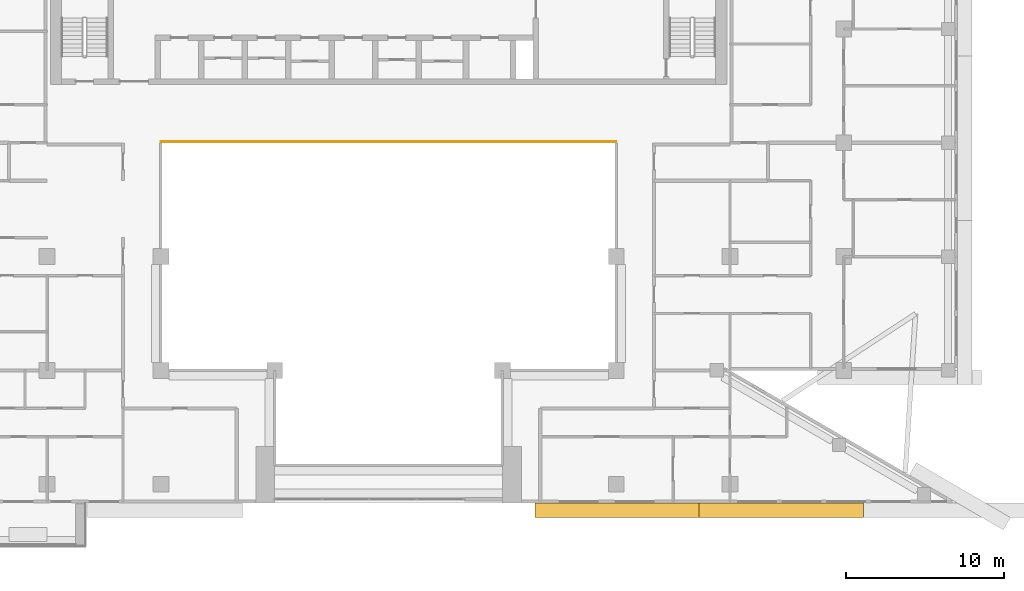
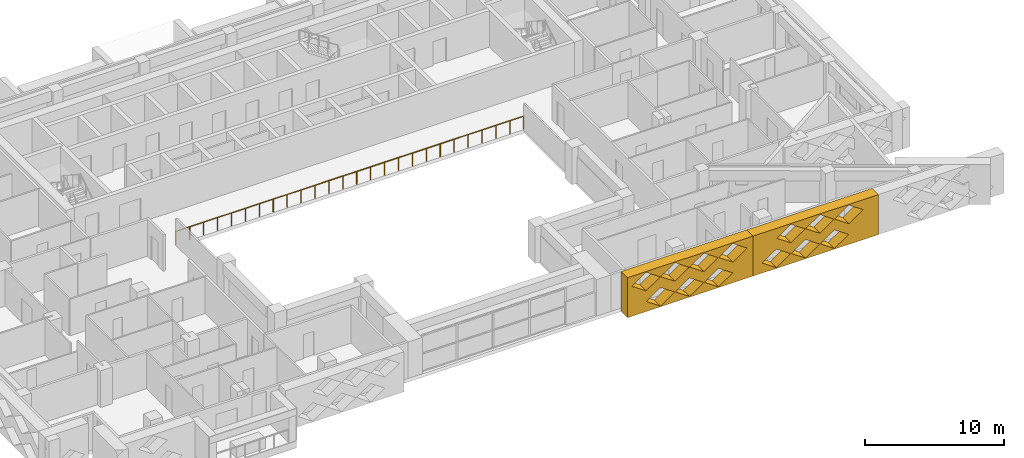
# One storey, part 16 of 20: 2 coverings, 1 railing.
"""IFC4 building model written with IfcOpenShell, lengths in metres."""

from ifc_helpers import new_model, si_unit, direction, frame, origin, origin_2d, place, context, subcontext, project, spatial, polyline, circle, outline, extrude, material, type_object, element, save


model = new_model("IFC4")

# Units and contexts
model_context = context("Model", 3, precision=1e-05, world=origin(), true_north=direction((0.0, 1.0)))
body_context = subcontext(model_context, "Body", "Model", "MODEL_VIEW")
ifc_project = project(units=[si_unit("LENGTHUNIT", "METRE"), si_unit("AREAUNIT", "SQUARE_METRE"), si_unit("VOLUMEUNIT", "CUBIC_METRE"), si_unit("PLANEANGLEUNIT", "RADIAN"), si_unit("MASSUNIT", "GRAM", prefix="KILO")], contexts=[model_context])

# Site, building, storey
site_placement = place(None, origin())
site = spatial("IfcSite", under=ifc_project, at=site_placement, CompositionType="ELEMENT")
building_placement = place(site_placement, origin())
building = spatial("IfcBuilding", under=site, at=building_placement, Name="Saffron Iwan Residences", CompositionType="ELEMENT")
storey_placement = place(building_placement, frame((0.0, 0.0, 164.0)))
storey = spatial("IfcBuildingStorey", under=building, at=storey_placement, Name="L43", CompositionType="ELEMENT", Elevation=164.0)

# Railing
ifc_material_1 = material(Name="Stainless steel 316", Category="steel")
railing_type = type_object("IfcRailingType", Name="Atrium guard 1150", PredefinedType="GUARDRAIL", material=ifc_material_1)
railing_placement = place(storey_placement, frame((36.0, 62.47509765625, 0.0)))
element("IfcRailing", 1, at=railing_placement, inside=storey, type_object=railing_type, Name="Atrium guard L43", PredefinedType="GUARDRAIL", context=body_context, shape_type="SweptSolid", body=[
    extrude(circle(Radius=0.02392578125, at=origin_2d()), frame((0.0, 0.0, 1.1259765625), z_axis=(1.0, 0.0, 0.0), x_axis=(0.0, 1.0, 0.0)), (0.0, 0.0, 1.0), 28.800048828125),
    extrude(circle(Radius=0.02099609375, at=origin_2d()), origin(), (0.0, 0.0, 1.0), 1.101806640625),
    extrude(circle(Radius=0.02099609375, at=origin_2d()), frame((1.152099609375, 0.0, 0.0)), (0.0, 0.0, 1.0), 1.101806640625),
    extrude(circle(Radius=0.02099609375, at=origin_2d()), frame((2.303955078125, 0.0, 0.0)), (0.0, 0.0, 1.0), 1.101806640625),
    extrude(circle(Radius=0.02099609375, at=origin_2d()), frame((3.4560546875, 0.0, 0.0)), (0.0, 0.0, 1.0), 1.101806640625),
    extrude(circle(Radius=0.02099609375, at=origin_2d()), frame((4.60791015625, 0.0, 0.0)), (0.0, 0.0, 1.0), 1.101806640625),
    extrude(circle(Radius=0.02099609375, at=origin_2d()), frame((5.760009765625, 0.0, 0.0)), (0.0, 0.0, 1.0), 1.101806640625),
    extrude(circle(Radius=0.02099609375, at=origin_2d()), frame((6.912109375, 0.0, 0.0)), (0.0, 0.0, 1.0), 1.101806640625),
    extrude(circle(Radius=0.02099609375, at=origin_2d()), frame((8.06396484375, 0.0, 0.0)), (0.0, 0.0, 1.0), 1.101806640625),
    extrude(circle(Radius=0.02099609375, at=origin_2d()), frame((9.216064453125, 0.0, 0.0)), (0.0, 0.0, 1.0), 1.101806640625),
    extrude(circle(Radius=0.02099609375, at=origin_2d()), frame((10.367919921875, 0.0, 0.0)), (0.0, 0.0, 1.0), 1.101806640625),
    extrude(circle(Radius=0.02099609375, at=origin_2d()), frame((11.52001953125, 0.0, 0.0)), (0.0, 0.0, 1.0), 1.101806640625),
    extrude(circle(Radius=0.02099609375, at=origin_2d()), frame((12.672119140625, 0.0, 0.0)), (0.0, 0.0, 1.0), 1.101806640625),
    extrude(circle(Radius=0.02099609375, at=origin_2d()), frame((13.823974609375, 0.0, 0.0)), (0.0, 0.0, 1.0), 1.101806640625),
    extrude(circle(Radius=0.02099609375, at=origin_2d()), frame((14.97607421875, 0.0, 0.0)), (0.0, 0.0, 1.0), 1.101806640625),
    extrude(circle(Radius=0.02099609375, at=origin_2d()), frame((16.1279296875, 0.0, 0.0)), (0.0, 0.0, 1.0), 1.101806640625),
    extrude(circle(Radius=0.02099609375, at=origin_2d()), frame((17.280029296875, 0.0, 0.0)), (0.0, 0.0, 1.0), 1.101806640625),
    extrude(circle(Radius=0.02099609375, at=origin_2d()), frame((18.43212890625, 0.0, 0.0)), (0.0, 0.0, 1.0), 1.101806640625),
    extrude(circle(Radius=0.02099609375, at=origin_2d()), frame((19.583984375, 0.0, 0.0)), (0.0, 0.0, 1.0), 1.101806640625),
    extrude(circle(Radius=0.02099609375, at=origin_2d()), frame((20.736083984375, 0.0, 0.0)), (0.0, 0.0, 1.0), 1.101806640625),
    extrude(circle(Radius=0.02099609375, at=origin_2d()), frame((21.887939453125, 0.0, 0.0)), (0.0, 0.0, 1.0), 1.101806640625),
    extrude(circle(Radius=0.02099609375, at=origin_2d()), frame((23.0400390625, 0.0, 0.0)), (0.0, 0.0, 1.0), 1.101806640625),
    extrude(circle(Radius=0.02099609375, at=origin_2d()), frame((24.192138671875, 0.0, 0.0)), (0.0, 0.0, 1.0), 1.101806640625),
    extrude(circle(Radius=0.02099609375, at=origin_2d()), frame((25.343994140625, 0.0, 0.0)), (0.0, 0.0, 1.0), 1.101806640625),
    extrude(circle(Radius=0.02099609375, at=origin_2d()), frame((26.49609375, 0.0, 0.0)), (0.0, 0.0, 1.0), 1.101806640625),
    extrude(circle(Radius=0.02099609375, at=origin_2d()), frame((27.64794921875, 0.0, 0.0)), (0.0, 0.0, 1.0), 1.101806640625),
    extrude(circle(Radius=0.02099609375, at=origin_2d()), frame((28.800048828125, 0.0, 0.0)), (0.0, 0.0, 1.0), 1.101806640625),
])

# Coverings
ifc_material_2 = material(Name="Precast concrete C40/50", Category="concrete")
covering_type = type_object("IfcCoveringType", Name="OUTER SKIN LATTICE SCREEN", PredefinedType="CLADDING", material=ifc_material_2)
covering_1_placement = place(storey_placement, frame((59.64990234375, 39.60009765625, -0.300048828125), z_axis=(0.0, -1.0, 0.0), x_axis=(1.0, 0.0, 0.0)))
element("IfcCovering", 2, at=covering_1_placement, inside=storey, type_object=covering_type, Name="OUTER SKIN lattice screen L43 F11.2", PredefinedType="CLADDING", context=body_context, shape_type="SweptSolid", body=[
    extrude(outline(polyline([(0.0, 0.0), (10.396240234375, 0.0), (10.396240234375, 3.5), (0.0, 3.5), (0.0, 0.0)]), holes=[polyline([(1.570068359375, 0.875), (2.75, 0.06005859375), (3.929931640625, 0.875), (2.75, 1.68994140625), (1.570068359375, 0.875)]), polyline([(3.969970703125, 0.875), (5.14990234375, 0.06005859375), (6.330078125, 0.875), (5.14990234375, 1.68994140625), (3.969970703125, 0.875)]), polyline([(6.3701171875, 0.875), (7.550048828125, 0.06005859375), (8.72998046875, 0.875), (7.550048828125, 1.68994140625), (6.3701171875, 0.875)]), polyline([(0.3701171875, 2.625), (1.550048828125, 1.81005859375), (2.72998046875, 2.625), (1.550048828125, 3.43994140625), (0.3701171875, 2.625)]), polyline([(2.77001953125, 2.625), (3.949951171875, 1.81005859375), (5.1298828125, 2.625), (3.949951171875, 3.43994140625), (2.77001953125, 2.625)]), polyline([(5.169921875, 2.625), (6.35009765625, 1.81005859375), (7.530029296875, 2.625), (6.35009765625, 3.43994140625), (5.169921875, 2.625)]), polyline([(7.570068359375, 2.625), (8.75, 1.81005859375), (9.929931640625, 2.625), (8.75, 3.43994140625), (7.570068359375, 2.625)])]), origin(), (0.0, 0.0, 1.0), 0.900146484375),
])
covering_2_placement = place(storey_placement, frame((70.046142578125, 39.60009765625, -0.300048828125), z_axis=(0.0, -1.0, 0.0), x_axis=(1.0, 0.0, 0.0)))
element("IfcCovering", 3, at=covering_2_placement, inside=storey, type_object=covering_type, Name="OUTER SKIN lattice screen L43 F11.3", PredefinedType="CLADDING", context=body_context, shape_type="SweptSolid", body=[
    extrude(outline(polyline([(0.0, 0.0), (10.396240234375, 0.0), (10.396240234375, 3.5), (0.0, 3.5), (0.0, 0.0)]), holes=[polyline([(0.773681640625, 0.875), (1.953857421875, 0.06005859375), (3.1337890625, 0.875), (1.953857421875, 1.68994140625), (0.773681640625, 0.875)]), polyline([(3.173828125, 0.875), (4.353759765625, 0.06005859375), (5.53369140625, 0.875), (4.353759765625, 1.68994140625), (3.173828125, 0.875)]), polyline([(5.57373046875, 0.875), (6.75390625, 0.06005859375), (7.933837890625, 0.875), (6.75390625, 1.68994140625), (5.57373046875, 0.875)]), polyline([(1.973876953125, 2.625), (3.15380859375, 1.81005859375), (4.333740234375, 2.625), (3.15380859375, 3.43994140625), (1.973876953125, 2.625)]), polyline([(4.373779296875, 2.625), (5.5537109375, 1.81005859375), (6.73388671875, 2.625), (5.5537109375, 3.43994140625), (4.373779296875, 2.625)]), polyline([(6.773681640625, 2.625), (7.953857421875, 1.81005859375), (9.1337890625, 2.625), (7.953857421875, 3.43994140625), (6.773681640625, 2.625)])]), origin(), (0.0, 0.0, 1.0), 0.900146484375),
])

save(model, "model.ifc")
